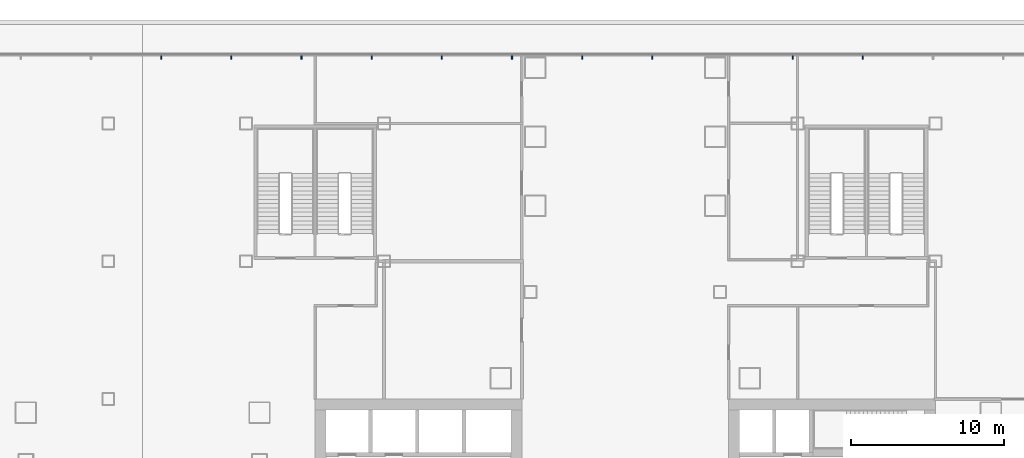
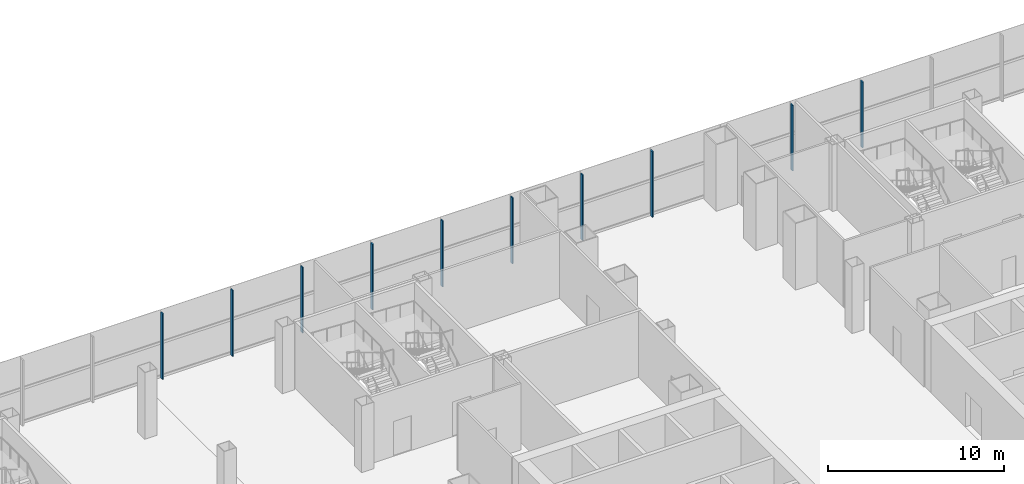
# One storey, part 13 of 33: 10 members, 1 element without a shape of its own.
"""IFC4 building model written with IfcOpenShell, lengths in metres."""

from ifc_helpers import new_model, si_unit, direction, frame, origin, origin_2d, place, context, subcontext, project, spatial, rectangle, extrude, material, layer, layer_set, material_profile, profile_set, type_object, element, aggregate, save


model = new_model("IFC4")

# Units and contexts
model_context = context("Model", 3, precision=1e-05, world=origin(), true_north=direction((0.0, 1.0)))
body_context = subcontext(model_context, "Body", "Model", "MODEL_VIEW")
ifc_project = project(units=[si_unit("LENGTHUNIT", "METRE"), si_unit("AREAUNIT", "SQUARE_METRE"), si_unit("VOLUMEUNIT", "CUBIC_METRE"), si_unit("PLANEANGLEUNIT", "RADIAN"), si_unit("MASSUNIT", "GRAM", prefix="KILO")], contexts=[model_context])

# Site, building, storey
site_placement = place(None, origin())
site = spatial("IfcSite", under=ifc_project, at=site_placement, CompositionType="ELEMENT")
building_placement = place(site_placement, origin())
building = spatial("IfcBuilding", under=site, at=building_placement, Name="Shamsa Quay Exchange Towers", CompositionType="ELEMENT")
storey_placement = place(building_placement, frame((0.0, 0.0, 18.5)))
storey = spatial("IfcBuildingStorey", under=building, at=storey_placement, Name="L03", CompositionType="ELEMENT", Elevation=18.5)

# Curtain wall, members
ifc_material = material(Name="Aluminium EN AW-6063 T6, black anodised", Category="aluminium")
ifc_layer = layer(ifc_material, 0.33203125)
ifc_layer_set = layer_set([ifc_layer], Name="CW-3 PODIUM SHOPFRONT GLAZING")
curtain_wall_type = type_object("IfcCurtainWallType", Name="CW-3 PODIUM SHOPFRONT GLAZING", PredefinedType="NOTDEFINED", material=ifc_layer_set)
curtain_wall_placement = place(storey_placement, origin())
curtain_wall = element("IfcCurtainWall", 1, at=curtain_wall_placement, inside=storey, type_object=curtain_wall_type, Name="CW3 PODIUM-L03-F01", PredefinedType="NOTDEFINED")
ifc_material_profile = material_profile(ifc_material, rectangle(XDim=0.219970703125, YDim=0.080078125, at=origin_2d()), Name="MU80x220")
ifc_profile_set = profile_set([ifc_material_profile], Name="Aluminium EN AW-6063 T6, black anodised")
member_type = type_object("IfcMemberType", Name="CW3 MULLION 80x220", PredefinedType="MULLION", material=ifc_profile_set)
member_1_placement = place(storey_placement, frame((49.259033203125, 29.06005859375, 0.0), z_axis=(0.0, 0.0, 1.0), x_axis=(0.0, -1.0, 0.0)))
member_1 = element("IfcMember", 2, at=member_1_placement, type_object=member_type, Name="CW3 mullion", PredefinedType="MULLION", context=body_context, shape_type="SweptSolid", body=[
    extrude(rectangle(XDim=0.219970703125, YDim=0.080078125, at=origin_2d()), origin(), (0.0, 0.0, 1.0), 4.550048828125),
])
member_2_placement = place(storey_placement, frame((44.678466796875, 29.06005859375, 0.0), z_axis=(0.0, 0.0, 1.0), x_axis=(0.0, -1.0, 0.0)))
member_2 = element("IfcMember", 3, at=member_2_placement, type_object=member_type, Name="CW3 mullion", PredefinedType="MULLION", context=body_context, shape_type="SweptSolid", body=[
    extrude(rectangle(XDim=0.219970703125, YDim=0.080078125, at=origin_2d()), origin(), (0.0, 0.0, 1.0), 4.550048828125),
])
member_3_placement = place(storey_placement, frame((35.517822265625, 29.06005859375, 0.0), z_axis=(0.0, 0.0, 1.0), x_axis=(0.0, -1.0, 0.0)))
member_3 = element("IfcMember", 4, at=member_3_placement, type_object=member_type, Name="CW3 mullion", PredefinedType="MULLION", context=body_context, shape_type="SweptSolid", body=[
    extrude(rectangle(XDim=0.219970703125, YDim=0.080078125, at=origin_2d()), origin(), (0.0, 0.0, 1.0), 4.550048828125),
])
member_4_placement = place(storey_placement, frame((30.9375, 29.06005859375, 0.0), z_axis=(0.0, 0.0, 1.0), x_axis=(0.0, -1.0, 0.0)))
member_4 = element("IfcMember", 5, at=member_4_placement, type_object=member_type, Name="CW3 mullion", PredefinedType="MULLION", context=body_context, shape_type="SweptSolid", body=[
    extrude(rectangle(XDim=0.219970703125, YDim=0.080078125, at=origin_2d()), origin(), (0.0, 0.0, 1.0), 4.550048828125),
])
member_5_placement = place(storey_placement, frame((26.357177734375, 29.06005859375, 0.0), z_axis=(0.0, 0.0, 1.0), x_axis=(0.0, -1.0, 0.0)))
member_5 = element("IfcMember", 6, at=member_5_placement, type_object=member_type, Name="CW3 mullion", PredefinedType="MULLION", context=body_context, shape_type="SweptSolid", body=[
    extrude(rectangle(XDim=0.219970703125, YDim=0.080078125, at=origin_2d()), origin(), (0.0, 0.0, 1.0), 4.550048828125),
])
member_6_placement = place(storey_placement, frame((21.77685546875, 29.06005859375, 0.0), z_axis=(0.0, 0.0, 1.0), x_axis=(0.0, -1.0, 0.0)))
member_6 = element("IfcMember", 7, at=member_6_placement, type_object=member_type, Name="CW3 mullion", PredefinedType="MULLION", context=body_context, shape_type="SweptSolid", body=[
    extrude(rectangle(XDim=0.219970703125, YDim=0.080078125, at=origin_2d()), origin(), (0.0, 0.0, 1.0), 4.550048828125),
])
member_7_placement = place(storey_placement, frame((17.196533203125, 29.06005859375, 0.0), z_axis=(0.0, 0.0, 1.0), x_axis=(0.0, -1.0, 0.0)))
member_7 = element("IfcMember", 8, at=member_7_placement, type_object=member_type, Name="CW3 mullion", PredefinedType="MULLION", context=body_context, shape_type="SweptSolid", body=[
    extrude(rectangle(XDim=0.219970703125, YDim=0.080078125, at=origin_2d()), origin(), (0.0, 0.0, 1.0), 4.550048828125),
])
member_8_placement = place(storey_placement, frame((12.615966796875, 29.06005859375, 0.0), z_axis=(0.0, 0.0, 1.0), x_axis=(0.0, -1.0, 0.0)))
member_8 = element("IfcMember", 9, at=member_8_placement, type_object=member_type, Name="CW3 mullion", PredefinedType="MULLION", context=body_context, shape_type="SweptSolid", body=[
    extrude(rectangle(XDim=0.219970703125, YDim=0.080078125, at=origin_2d()), origin(), (0.0, 0.0, 1.0), 4.550048828125),
])
member_9_placement = place(storey_placement, frame((8.03564453125, 29.06005859375, 0.0), z_axis=(0.0, 0.0, 1.0), x_axis=(0.0, -1.0, 0.0)))
member_9 = element("IfcMember", 10, at=member_9_placement, type_object=member_type, Name="CW3 mullion", PredefinedType="MULLION", context=body_context, shape_type="SweptSolid", body=[
    extrude(rectangle(XDim=0.219970703125, YDim=0.080078125, at=origin_2d()), origin(), (0.0, 0.0, 1.0), 4.550048828125),
])
member_10_placement = place(storey_placement, frame((3.455322265625, 29.06005859375, 0.0), z_axis=(0.0, 0.0, 1.0), x_axis=(0.0, -1.0, 0.0)))
member_10 = element("IfcMember", 11, at=member_10_placement, type_object=member_type, Name="CW3 mullion", PredefinedType="MULLION", context=body_context, shape_type="SweptSolid", body=[
    extrude(rectangle(XDim=0.219970703125, YDim=0.080078125, at=origin_2d()), origin(), (0.0, 0.0, 1.0), 4.550048828125),
])
aggregate(curtain_wall, [member_1, member_2, member_3, member_4, member_5, member_6, member_7, member_8, member_9, member_10])

save(model, "model.ifc")
